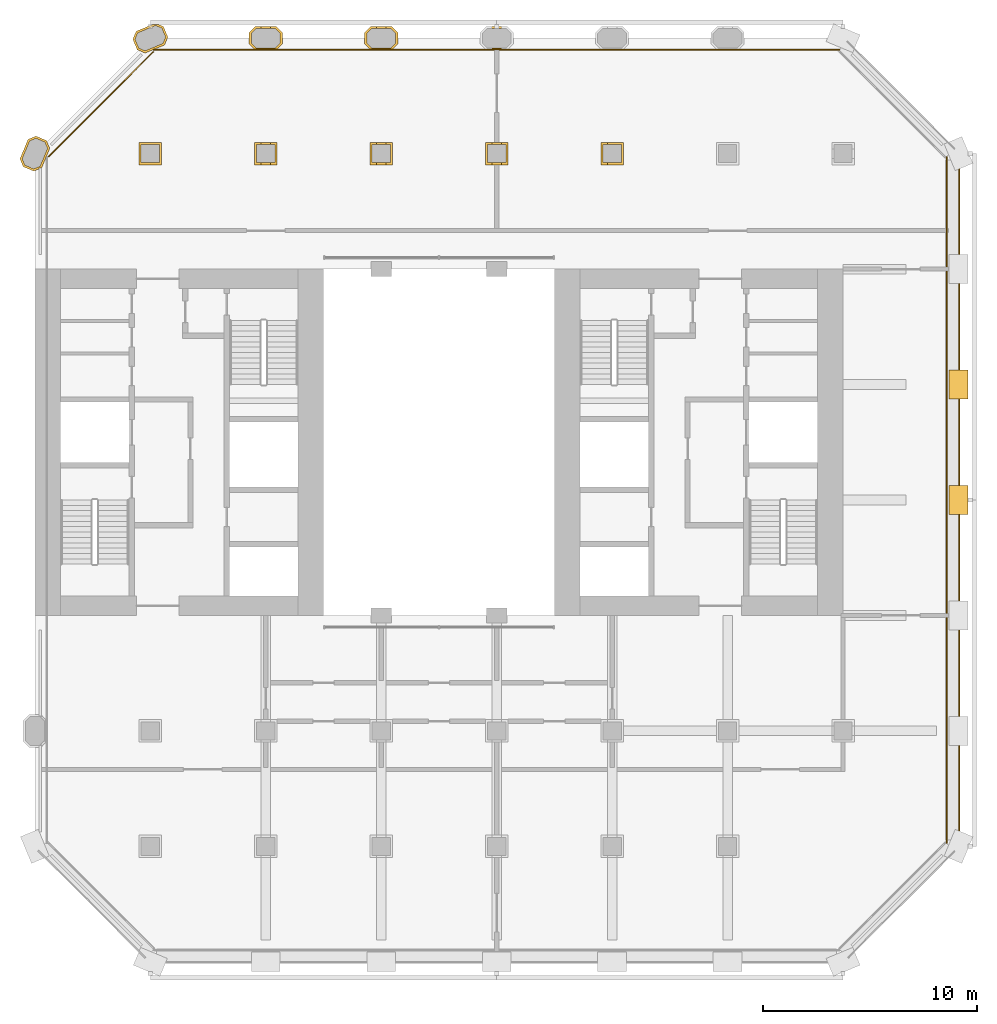
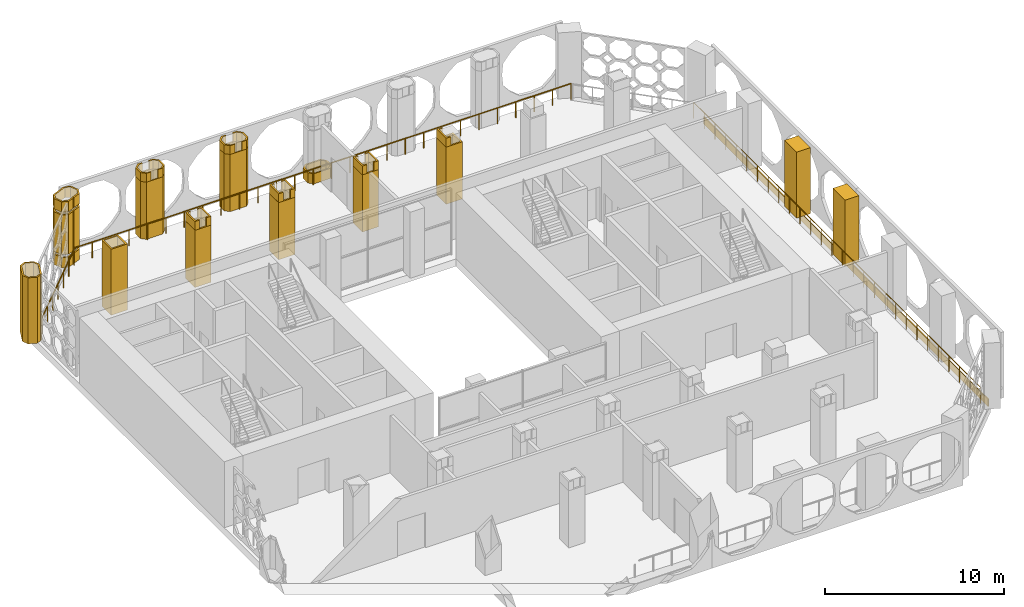
# One storey, part 13 of 14: 26 coverings, 3 railings.
"""IFC4 building model written with IfcOpenShell, lengths in metres."""

from ifc_helpers import new_model, si_unit, direction, frame, frame_2d, origin, origin_2d, place, context, subcontext, project, spatial, polyline, rectangle, circle, outline, extrude, material, layer, layer_set, type_object, element, save


model = new_model("IFC4")

# Units and contexts
model_context = context("Model", 3, precision=1e-05, world=origin(), true_north=direction((0.0, 1.0)))
body_context = subcontext(model_context, "Body", "Model", "MODEL_VIEW")
ifc_project = project(units=[si_unit("LENGTHUNIT", "METRE"), si_unit("AREAUNIT", "SQUARE_METRE"), si_unit("VOLUMEUNIT", "CUBIC_METRE"), si_unit("PLANEANGLEUNIT", "RADIAN"), si_unit("MASSUNIT", "GRAM", prefix="KILO")], contexts=[model_context])

# Site, building, storey
site_placement = place(None, origin())
site = spatial("IfcSite", under=ifc_project, at=site_placement, CompositionType="ELEMENT")
building_placement = place(site_placement, origin())
building = spatial("IfcBuilding", under=site, at=building_placement, Name="Tabaq Tower and Sports Hall", CompositionType="ELEMENT")
storey_placement = place(building_placement, frame((0.0, 0.0, 175.89990234375)))
storey = spatial("IfcBuildingStorey", under=building, at=storey_placement, Name="L42", CompositionType="ELEMENT", Elevation=175.89990234375)

# Coverings
ifc_material_1 = material(Name="Precast concrete C60/75", Category="concrete")
ifc_layer_1 = layer(ifc_material_1, 0.10009765625)
ifc_layer_set_1 = layer_set([ifc_layer_1], Name="Column cladding 100")
covering_type_1 = type_object("IfcCoveringType", Name="Column cladding 100", PredefinedType="CLADDING", material=ifc_layer_set_1)
covering_1_placement = place(storey_placement, origin())
element("IfcCovering", 1, at=covering_1_placement, inside=storey, type_object=covering_type_1, Name="Column cladding L42 PC-2H-H1", PredefinedType="CLADDING", context=body_context, shape_type="SweptSolid", body=[
    extrude(outline(polyline([(4.857421875, 37.186279296875), (4.7041015625, 37.556396484375), (5.080078125, 38.46435546875), (5.450439453125, 38.61767578125), (5.9423828125, 38.413818359375), (6.095947265625, 38.04345703125), (5.94287109375, 37.673828125), (5.942138671875, 37.673828125), (5.938232421875, 37.6728515625), (5.9345703125, 37.671630859375), (5.930908203125, 37.669921875), (5.927490234375, 37.667724609375), (5.92431640625, 37.66552734375), (5.92138671875, 37.662841796875), (5.9189453125, 37.659912109375), (5.91650390625, 37.65673828125), (5.91455078125, 37.6533203125), (5.912841796875, 37.649658203125), (5.911376953125, 37.64599609375), (5.910400390625, 37.64208984375), (5.909912109375, 37.63818359375), (5.90966796875, 37.63427734375), (5.90966796875, 37.593994140625), (5.7197265625, 37.1357421875), (5.694580078125, 37.125244140625), (5.589599609375, 37.125244140625), (5.589599609375, 37.081787109375), (5.349609375, 36.982421875), (4.857421875, 37.186279296875)]), holes=[polyline([(5.866455078125, 38.337646484375), (5.450439453125, 38.510009765625), (5.15625, 38.38818359375), (4.811767578125, 37.556396484375), (4.93359375, 37.26220703125), (5.349609375, 37.08984375), (5.643798828125, 37.2119140625), (5.98828125, 38.04345703125), (5.866455078125, 38.337646484375)])]), origin(), (0.0, 0.0, 1.0), 4.5),
])
covering_2_placement = place(storey_placement, origin())
element("IfcCovering", 2, at=covering_2_placement, inside=storey, type_object=covering_type_1, Name="Column cladding L42 CC-3H-H1", PredefinedType="CLADDING", context=body_context, shape_type="SweptSolid", body=[
    extrude(outline(polyline([(10.275390625, 38.32470703125), (11.32470703125, 38.32470703125), (11.32470703125, 37.275390625), (10.275390625, 37.275390625), (10.275390625, 38.32470703125)]), holes=[polyline([(11.225341796875, 37.374755859375), (11.225341796875, 38.225341796875), (10.374755859375, 38.225341796875), (10.374755859375, 37.374755859375), (11.225341796875, 37.374755859375)])]), origin(), (0.0, 0.0, 1.0), 4.5),
])
covering_3_placement = place(storey_placement, origin())
element("IfcCovering", 3, at=covering_3_placement, inside=storey, type_object=covering_type_1, Name="Column cladding L42 PC-3I-H1", PredefinedType="CLADDING", context=body_context, shape_type="SweptSolid", body=[
    extrude(outline(polyline([(9.982421875, 43.149658203125), (10.1357421875, 43.519775390625), (10.93212890625, 43.849609375), (11.155029296875, 43.849609375), (11.413818359375, 43.742431640625), (11.61767578125, 43.25048828125), (11.46435546875, 42.880126953125), (11.005859375, 42.690185546875), (10.965576171875, 42.690185546875), (10.961669921875, 42.690185546875), (10.957763671875, 42.689453125), (10.9541015625, 42.6884765625), (10.9501953125, 42.687255859375), (10.94677734375, 42.685546875), (10.943359375, 42.68359375), (10.940185546875, 42.68115234375), (10.937255859375, 42.678466796875), (10.9345703125, 42.675537109375), (10.93212890625, 42.67236328125), (10.93017578125, 42.6689453125), (10.928466796875, 42.66552734375), (10.927001953125, 42.66162109375), (10.92626953125, 42.657958984375), (10.926025390625, 42.6572265625), (10.556396484375, 42.504150390625), (10.186279296875, 42.657470703125), (9.982421875, 43.149658203125)]), holes=[polyline([(11.510009765625, 43.25048828125), (11.337646484375, 43.66650390625), (11.04345703125, 43.788330078125), (10.2119140625, 43.44384765625), (10.08984375, 43.149658203125), (10.26220703125, 42.733642578125), (10.556396484375, 42.61181640625), (11.38818359375, 42.956298828125), (11.510009765625, 43.25048828125)])]), origin(), (0.0, 0.0, 1.0), 0.7001953125),
])
covering_4_placement = place(storey_placement, frame((0.0, 0.0, 0.900146484375)))
element("IfcCovering", 4, at=covering_4_placement, inside=storey, type_object=covering_type_1, Name="Column cladding L42 PC-3I-H1 2", PredefinedType="CLADDING", context=body_context, shape_type="SweptSolid", body=[
    extrude(outline(polyline([(9.982421875, 43.149658203125), (10.1357421875, 43.519775390625), (10.93212890625, 43.849609375), (11.155029296875, 43.849609375), (11.413818359375, 43.742431640625), (11.61767578125, 43.25048828125), (11.46435546875, 42.880126953125), (11.005859375, 42.690185546875), (10.965576171875, 42.690185546875), (10.961669921875, 42.690185546875), (10.957763671875, 42.689453125), (10.9541015625, 42.6884765625), (10.9501953125, 42.687255859375), (10.94677734375, 42.685546875), (10.943359375, 42.68359375), (10.940185546875, 42.68115234375), (10.937255859375, 42.678466796875), (10.9345703125, 42.675537109375), (10.93212890625, 42.67236328125), (10.93017578125, 42.6689453125), (10.928466796875, 42.66552734375), (10.927001953125, 42.66162109375), (10.92626953125, 42.657958984375), (10.926025390625, 42.6572265625), (10.556396484375, 42.504150390625), (10.186279296875, 42.657470703125), (9.982421875, 43.149658203125)]), holes=[polyline([(11.510009765625, 43.25048828125), (11.337646484375, 43.66650390625), (11.04345703125, 43.788330078125), (10.2119140625, 43.44384765625), (10.08984375, 43.149658203125), (10.26220703125, 42.733642578125), (10.556396484375, 42.61181640625), (11.38818359375, 42.956298828125), (11.510009765625, 43.25048828125)])]), origin(), (0.0, 0.0, 1.0), 2.699951171875),
])
covering_5_placement = place(storey_placement, frame((0.0, 0.0, 3.800048828125)))
element("IfcCovering", 5, at=covering_5_placement, inside=storey, type_object=covering_type_1, Name="Column cladding L42 PC-3I-H1 3", PredefinedType="CLADDING", context=body_context, shape_type="SweptSolid", body=[
    extrude(outline(polyline([(9.982421875, 43.149658203125), (10.1357421875, 43.519775390625), (10.93212890625, 43.849609375), (11.155029296875, 43.849609375), (11.413818359375, 43.742431640625), (11.61767578125, 43.25048828125), (11.46435546875, 42.880126953125), (11.005859375, 42.690185546875), (10.965576171875, 42.690185546875), (10.961669921875, 42.690185546875), (10.957763671875, 42.689453125), (10.9541015625, 42.6884765625), (10.9501953125, 42.687255859375), (10.94677734375, 42.685546875), (10.943359375, 42.68359375), (10.940185546875, 42.68115234375), (10.937255859375, 42.678466796875), (10.9345703125, 42.675537109375), (10.93212890625, 42.67236328125), (10.93017578125, 42.6689453125), (10.928466796875, 42.66552734375), (10.927001953125, 42.66162109375), (10.92626953125, 42.657958984375), (10.926025390625, 42.6572265625), (10.556396484375, 42.504150390625), (10.186279296875, 42.657470703125), (9.982421875, 43.149658203125)]), holes=[polyline([(11.510009765625, 43.25048828125), (11.337646484375, 43.66650390625), (11.04345703125, 43.788330078125), (10.2119140625, 43.44384765625), (10.08984375, 43.149658203125), (10.26220703125, 42.733642578125), (10.556396484375, 42.61181640625), (11.38818359375, 42.956298828125), (11.510009765625, 43.25048828125)])]), origin(), (0.0, 0.0, 1.0), 0.699951171875),
])
covering_6_placement = place(storey_placement, origin())
element("IfcCovering", 6, at=covering_6_placement, inside=storey, type_object=covering_type_1, Name="Column cladding L42 CC-4H-H1", PredefinedType="CLADDING", context=body_context, shape_type="SweptSolid", body=[
    extrude(outline(polyline([(15.67529296875, 38.32470703125), (16.724609375, 38.32470703125), (16.724609375, 37.275390625), (15.67529296875, 37.275390625), (15.67529296875, 38.32470703125)]), holes=[polyline([(16.625244140625, 37.374755859375), (16.625244140625, 38.225341796875), (15.774658203125, 38.225341796875), (15.774658203125, 37.374755859375), (16.625244140625, 37.374755859375)])]), origin(), (0.0, 0.0, 1.0), 3.900146484375),
])
covering_7_placement = place(storey_placement, frame((0.0, 0.0, 3.900146484375)))
element("IfcCovering", 7, at=covering_7_placement, inside=storey, type_object=covering_type_1, Name="Column cladding L42 CC-4H-H1 head", PredefinedType="CLADDING", context=body_context, shape_type="SweptSolid", body=[
    extrude(outline(polyline([(16.425537109375, 38.2255859375), (16.425537109375, 38.324462890625), (16.724365234375, 38.324462890625), (16.724365234375, 37.275634765625), (16.425537109375, 37.275634765625), (16.425537109375, 37.37451171875), (16.62548828125, 37.37451171875), (16.62548828125, 38.2255859375), (16.425537109375, 38.2255859375)])), origin(), (0.0, 0.0, 1.0), 0.599853515625),
])
covering_8_placement = place(storey_placement, frame((0.0, 0.0, 3.900146484375)))
element("IfcCovering", 8, at=covering_8_placement, inside=storey, type_object=covering_type_1, Name="Column cladding L42 CC-4H-H1 head 2", PredefinedType="CLADDING", context=body_context, shape_type="SweptSolid", body=[
    extrude(outline(polyline([(15.974365234375, 38.2255859375), (15.7744140625, 38.2255859375), (15.7744140625, 37.37451171875), (15.974365234375, 37.37451171875), (15.974365234375, 37.275634765625), (15.675537109375, 37.275634765625), (15.675537109375, 38.324462890625), (15.974365234375, 38.324462890625), (15.974365234375, 38.2255859375)])), origin(), (0.0, 0.0, 1.0), 0.599853515625),
])
covering_9_placement = place(storey_placement, origin())
element("IfcCovering", 9, at=covering_9_placement, inside=storey, type_object=covering_type_1, Name="Column cladding L42 PC-4I-H1", PredefinedType="CLADDING", context=body_context, shape_type="SweptSolid", body=[
    extrude(outline(polyline([(15.42529296875, 43.46630859375), (15.708740234375, 43.749755859375), (16.69140625, 43.749755859375), (16.974609375, 43.46630859375), (16.974609375, 42.93359375), (16.731201171875, 42.690185546875), (15.668701171875, 42.690185546875), (15.42529296875, 42.93359375), (15.42529296875, 43.46630859375)]), holes=[polyline([(16.875244140625, 42.974853515625), (16.875244140625, 43.425048828125), (16.650146484375, 43.650390625), (15.749755859375, 43.650390625), (15.524658203125, 43.425048828125), (15.524658203125, 42.974853515625), (15.749755859375, 42.749755859375), (16.650146484375, 42.749755859375), (16.875244140625, 42.974853515625)])]), origin(), (0.0, 0.0, 1.0), 3.900146484375),
])
covering_10_placement = place(storey_placement, frame((0.0, 0.0, 3.900146484375)))
element("IfcCovering", 10, at=covering_10_placement, inside=storey, type_object=covering_type_1, Name="Column cladding L42 PC-4I-H1 head", PredefinedType="CLADDING", context=body_context, shape_type="SweptSolid", body=[
    extrude(outline(polyline([(16.69140625, 43.749755859375), (16.974609375, 43.46630859375), (16.974609375, 42.93359375), (16.731201171875, 42.690185546875), (16.42529296875, 42.690185546875), (16.42529296875, 42.749755859375), (16.650146484375, 42.749755859375), (16.875244140625, 42.974853515625), (16.875244140625, 43.425048828125), (16.650146484375, 43.650390625), (16.42529296875, 43.650390625), (16.42529296875, 43.749755859375), (16.69140625, 43.749755859375)])), origin(), (0.0, 0.0, 1.0), 0.599853515625),
])
covering_11_placement = place(storey_placement, frame((0.0, 0.0, 3.900146484375)))
element("IfcCovering", 11, at=covering_11_placement, inside=storey, type_object=covering_type_1, Name="Column cladding L42 PC-4I-H1 head 2", PredefinedType="CLADDING", context=body_context, shape_type="SweptSolid", body=[
    extrude(outline(polyline([(15.708740234375, 43.749755859375), (15.974609375, 43.749755859375), (15.974609375, 43.650390625), (15.749755859375, 43.650390625), (15.524658203125, 43.425048828125), (15.524658203125, 42.974853515625), (15.749755859375, 42.749755859375), (15.974609375, 42.749755859375), (15.974609375, 42.690185546875), (15.668701171875, 42.690185546875), (15.42529296875, 42.93359375), (15.42529296875, 43.46630859375), (15.708740234375, 43.749755859375)])), origin(), (0.0, 0.0, 1.0), 0.599853515625),
])
covering_12_placement = place(storey_placement, origin())
element("IfcCovering", 12, at=covering_12_placement, inside=storey, type_object=covering_type_1, Name="Column cladding L42 CC-5H-H1", PredefinedType="CLADDING", context=body_context, shape_type="SweptSolid", body=[
    extrude(outline(polyline([(21.0751953125, 38.32470703125), (22.124755859375, 38.32470703125), (22.124755859375, 37.275390625), (21.0751953125, 37.275390625), (21.0751953125, 38.32470703125)]), holes=[polyline([(22.025390625, 37.374755859375), (22.025390625, 38.225341796875), (21.1748046875, 38.225341796875), (21.1748046875, 37.374755859375), (22.025390625, 37.374755859375)])]), origin(), (0.0, 0.0, 1.0), 3.900146484375),
])
covering_13_placement = place(storey_placement, frame((0.0, 0.0, 3.900146484375)))
element("IfcCovering", 13, at=covering_13_placement, inside=storey, type_object=covering_type_1, Name="Column cladding L42 CC-5H-H1 head", PredefinedType="CLADDING", context=body_context, shape_type="SweptSolid", body=[
    extrude(outline(polyline([(21.82568359375, 38.2255859375), (21.82568359375, 38.324462890625), (22.12451171875, 38.324462890625), (22.12451171875, 37.275634765625), (21.82568359375, 37.275634765625), (21.82568359375, 37.37451171875), (22.025634765625, 37.37451171875), (22.025634765625, 38.2255859375), (21.82568359375, 38.2255859375)])), origin(), (0.0, 0.0, 1.0), 0.599853515625),
])
covering_14_placement = place(storey_placement, frame((0.0, 0.0, 3.900146484375)))
element("IfcCovering", 14, at=covering_14_placement, inside=storey, type_object=covering_type_1, Name="Column cladding L42 CC-5H-H1 head 2", PredefinedType="CLADDING", context=body_context, shape_type="SweptSolid", body=[
    extrude(outline(polyline([(21.37451171875, 38.2255859375), (21.17431640625, 38.2255859375), (21.17431640625, 37.37451171875), (21.37451171875, 37.37451171875), (21.37451171875, 37.275634765625), (21.07568359375, 37.275634765625), (21.07568359375, 38.324462890625), (21.37451171875, 38.324462890625), (21.37451171875, 38.2255859375)])), origin(), (0.0, 0.0, 1.0), 0.599853515625),
])
covering_15_placement = place(storey_placement, origin())
element("IfcCovering", 15, at=covering_15_placement, inside=storey, type_object=covering_type_1, Name="Column cladding L42 PC-5I-H1", PredefinedType="CLADDING", context=body_context, shape_type="SweptSolid", body=[
    extrude(outline(polyline([(20.8251953125, 43.46630859375), (21.108642578125, 43.749755859375), (22.09130859375, 43.749755859375), (22.374755859375, 43.46630859375), (22.374755859375, 42.93359375), (22.13134765625, 42.690185546875), (21.068603515625, 42.690185546875), (20.8251953125, 42.93359375), (20.8251953125, 43.46630859375)]), holes=[polyline([(22.275390625, 42.974853515625), (22.275390625, 43.425048828125), (22.050048828125, 43.650390625), (21.14990234375, 43.650390625), (20.9248046875, 43.425048828125), (20.9248046875, 42.974853515625), (21.14990234375, 42.749755859375), (22.050048828125, 42.749755859375), (22.275390625, 42.974853515625)])]), origin(), (0.0, 0.0, 1.0), 3.900146484375),
])
covering_16_placement = place(storey_placement, frame((0.0, 0.0, 3.900146484375)))
element("IfcCovering", 16, at=covering_16_placement, inside=storey, type_object=covering_type_1, Name="Column cladding L42 PC-5I-H1 head", PredefinedType="CLADDING", context=body_context, shape_type="SweptSolid", body=[
    extrude(outline(polyline([(21.108642578125, 43.749755859375), (21.374755859375, 43.749755859375), (21.374755859375, 43.650390625), (21.14990234375, 43.650390625), (20.9248046875, 43.425048828125), (20.9248046875, 42.974853515625), (21.14990234375, 42.749755859375), (21.374755859375, 42.749755859375), (21.374755859375, 42.690185546875), (21.068603515625, 42.690185546875), (20.8251953125, 42.93359375), (20.8251953125, 43.46630859375), (21.108642578125, 43.749755859375)])), origin(), (0.0, 0.0, 1.0), 0.599853515625),
])
covering_17_placement = place(storey_placement, frame((0.0, 0.0, 3.900146484375)))
element("IfcCovering", 17, at=covering_17_placement, inside=storey, type_object=covering_type_1, Name="Column cladding L42 PC-5I-H1 head 2", PredefinedType="CLADDING", context=body_context, shape_type="SweptSolid", body=[
    extrude(outline(polyline([(22.09130859375, 43.749755859375), (22.374755859375, 43.46630859375), (22.374755859375, 42.93359375), (22.13134765625, 42.690185546875), (21.8251953125, 42.690185546875), (21.8251953125, 42.749755859375), (22.050048828125, 42.749755859375), (22.275390625, 42.974853515625), (22.275390625, 43.425048828125), (22.050048828125, 43.650390625), (21.8251953125, 43.650390625), (21.8251953125, 43.749755859375), (22.09130859375, 43.749755859375)])), origin(), (0.0, 0.0, 1.0), 0.599853515625),
])
covering_18_placement = place(storey_placement, origin())
element("IfcCovering", 18, at=covering_18_placement, inside=storey, type_object=covering_type_1, Name="Column cladding L42 CC-6H-H1", PredefinedType="CLADDING", context=body_context, shape_type="SweptSolid", body=[
    extrude(outline(polyline([(26.475341796875, 38.32470703125), (27.524658203125, 38.32470703125), (27.524658203125, 37.275390625), (26.475341796875, 37.275390625), (26.475341796875, 38.32470703125)]), holes=[polyline([(27.42529296875, 37.374755859375), (27.42529296875, 38.225341796875), (26.57470703125, 38.225341796875), (26.57470703125, 37.374755859375), (27.42529296875, 37.374755859375)])]), origin(), (0.0, 0.0, 1.0), 3.900146484375),
])
covering_19_placement = place(storey_placement, frame((0.0, 0.0, 3.900146484375)))
element("IfcCovering", 19, at=covering_19_placement, inside=storey, type_object=covering_type_1, Name="Column cladding L42 CC-6H-H1 head", PredefinedType="CLADDING", context=body_context, shape_type="SweptSolid", body=[
    extrude(outline(polyline([(27.2255859375, 38.2255859375), (27.2255859375, 38.324462890625), (27.5244140625, 38.324462890625), (27.5244140625, 37.275634765625), (27.2255859375, 37.275634765625), (27.2255859375, 37.37451171875), (27.425537109375, 37.37451171875), (27.425537109375, 38.2255859375), (27.2255859375, 38.2255859375)])), origin(), (0.0, 0.0, 1.0), 0.599853515625),
])
covering_20_placement = place(storey_placement, frame((0.0, 0.0, 3.900146484375)))
element("IfcCovering", 20, at=covering_20_placement, inside=storey, type_object=covering_type_1, Name="Column cladding L42 CC-6H-H1 head 2", PredefinedType="CLADDING", context=body_context, shape_type="SweptSolid", body=[
    extrude(outline(polyline([(26.7744140625, 38.2255859375), (26.574462890625, 38.2255859375), (26.574462890625, 37.37451171875), (26.7744140625, 37.37451171875), (26.7744140625, 37.275634765625), (26.4755859375, 37.275634765625), (26.4755859375, 38.324462890625), (26.7744140625, 38.324462890625), (26.7744140625, 38.2255859375)])), origin(), (0.0, 0.0, 1.0), 0.599853515625),
])
covering_21_placement = place(storey_placement, origin())
element("IfcCovering", 21, at=covering_21_placement, inside=storey, type_object=covering_type_1, Name="Column cladding L42 PC-6I-H1", PredefinedType="CLADDING", context=body_context, shape_type="SweptSolid", body=[
    extrude(outline(polyline([(26.225341796875, 43.46630859375), (26.5087890625, 43.749755859375), (27.4912109375, 43.749755859375), (27.774658203125, 43.46630859375), (27.774658203125, 42.93359375), (27.53125, 42.690185546875), (26.46875, 42.690185546875), (26.225341796875, 42.93359375), (26.225341796875, 43.46630859375)]), holes=[polyline([(27.67529296875, 42.974853515625), (27.67529296875, 43.425048828125), (27.4501953125, 43.650390625), (26.5498046875, 43.650390625), (26.32470703125, 43.425048828125), (26.32470703125, 42.974853515625), (26.5498046875, 42.749755859375), (27.4501953125, 42.749755859375), (27.67529296875, 42.974853515625)])]), origin(), (0.0, 0.0, 1.0), 0.7001953125),
])
covering_22_placement = place(storey_placement, origin())
element("IfcCovering", 22, at=covering_22_placement, inside=storey, type_object=covering_type_1, Name="Column cladding L42 CC-7H-H1", PredefinedType="CLADDING", context=body_context, shape_type="SweptSolid", body=[
    extrude(outline(polyline([(31.875244140625, 38.32470703125), (32.9248046875, 38.32470703125), (32.9248046875, 37.275390625), (31.875244140625, 37.275390625), (31.875244140625, 38.32470703125)]), holes=[polyline([(32.8251953125, 37.374755859375), (32.8251953125, 38.225341796875), (31.974609375, 38.225341796875), (31.974609375, 37.374755859375), (32.8251953125, 37.374755859375)])]), origin(), (0.0, 0.0, 1.0), 3.900146484375),
])
covering_23_placement = place(storey_placement, frame((0.0, 0.0, 3.900146484375)))
element("IfcCovering", 23, at=covering_23_placement, inside=storey, type_object=covering_type_1, Name="Column cladding L42 CC-7H-H1 head", PredefinedType="CLADDING", context=body_context, shape_type="SweptSolid", body=[
    extrude(outline(polyline([(32.17431640625, 38.2255859375), (31.974365234375, 38.2255859375), (31.974365234375, 37.37451171875), (32.17431640625, 37.37451171875), (32.17431640625, 37.275634765625), (31.87548828125, 37.275634765625), (31.87548828125, 38.324462890625), (32.17431640625, 38.324462890625), (32.17431640625, 38.2255859375)])), origin(), (0.0, 0.0, 1.0), 0.599853515625),
])
ifc_material_2 = material(Name="Precast concrete C60/75", Category="concrete")
ifc_layer_2 = layer(ifc_material_2, 0.06005859375)
ifc_layer_set_2 = layer_set([ifc_layer_2], Name="Edge beam cladding 60")
covering_type_2 = type_object("IfcCoveringType", Name="Edge beam cladding 60", PredefinedType="CLADDING", material=ifc_layer_set_2)
covering_24_placement = place(storey_placement, frame((48.6298828125, 5.698486328125, -0.5), z_axis=(0.0, 0.0, 1.0), x_axis=(0.0, 1.0, 0.0)))
element("IfcCovering", 24, at=covering_24_placement, inside=storey, type_object=covering_type_2, Name="Edge beam cladding L42 3", PredefinedType="CLADDING", context=body_context, shape_type="SweptSolid", body=[
    extrude(rectangle(XDim=31.802978515625, YDim=0.06005859375, at=frame_2d((15.9013671875, 0.0))), origin(), (0.0, 0.0, 1.0), 0.5),
])

# Railings
ifc_material_3 = material(Name="Stainless steel S316 and laminated glass", Category="steel")
railing_type = type_object("IfcRailingType", Name="Guard 1100 steel and glass", PredefinedType="GUARDRAIL", material=ifc_material_3)
railing_1_placement = place(storey_placement, frame((48.050048828125, 5.565673828125, 0.0)))
element("IfcRailing", 25, at=railing_1_placement, inside=storey, type_object=railing_type, Name="Guard L42 E", PredefinedType="GUARDRAIL", context=body_context, shape_type="SweptSolid", body=[
    extrude(circle(Radius=0.02490234375, at=origin_2d()), frame((0.0, 0.0, 1.0751953125), z_axis=(0.0, 1.0, 0.0), x_axis=(-1.0, 0.0, 0.0)), (0.0, 0.0, 1.0), 32.068603515625),
    extrude(circle(Radius=0.02001953125, at=origin_2d()), origin(), (0.0, 0.0, 1.0), 1.050048828125),
    extrude(circle(Radius=0.02001953125, at=origin_2d()), frame((0.0, 1.187744140625, 0.0)), (0.0, 0.0, 1.0), 1.050048828125),
    extrude(circle(Radius=0.02001953125, at=origin_2d()), frame((0.0, 2.37548828125, 0.0)), (0.0, 0.0, 1.0), 1.050048828125),
    extrude(circle(Radius=0.02001953125, at=origin_2d()), frame((0.0, 3.563232421875, 0.0)), (0.0, 0.0, 1.0), 1.050048828125),
    extrude(circle(Radius=0.02001953125, at=origin_2d()), frame((0.0, 4.7509765625, 0.0)), (0.0, 0.0, 1.0), 1.050048828125),
    extrude(circle(Radius=0.02001953125, at=origin_2d()), frame((0.0, 5.938720703125, 0.0)), (0.0, 0.0, 1.0), 1.050048828125),
    extrude(circle(Radius=0.02001953125, at=origin_2d()), frame((0.0, 7.12646484375, 0.0)), (0.0, 0.0, 1.0), 1.050048828125),
    extrude(circle(Radius=0.02001953125, at=origin_2d()), frame((0.0, 8.31396484375, 0.0)), (0.0, 0.0, 1.0), 1.050048828125),
    extrude(circle(Radius=0.02001953125, at=origin_2d()), frame((0.0, 9.501708984375, 0.0)), (0.0, 0.0, 1.0), 1.050048828125),
    extrude(circle(Radius=0.02001953125, at=origin_2d()), frame((0.0, 10.689453125, 0.0)), (0.0, 0.0, 1.0), 1.050048828125),
    extrude(circle(Radius=0.02001953125, at=origin_2d()), frame((0.0, 11.877197265625, 0.0)), (0.0, 0.0, 1.0), 1.050048828125),
    extrude(circle(Radius=0.02001953125, at=origin_2d()), frame((0.0, 13.06494140625, 0.0)), (0.0, 0.0, 1.0), 1.050048828125),
    extrude(circle(Radius=0.02001953125, at=origin_2d()), frame((0.0, 14.252685546875, 0.0)), (0.0, 0.0, 1.0), 1.050048828125),
    extrude(circle(Radius=0.02001953125, at=origin_2d()), frame((0.0, 15.4404296875, 0.0)), (0.0, 0.0, 1.0), 1.050048828125),
    extrude(circle(Radius=0.02001953125, at=origin_2d()), frame((0.0, 16.628173828125, 0.0)), (0.0, 0.0, 1.0), 1.050048828125),
    extrude(circle(Radius=0.02001953125, at=origin_2d()), frame((0.0, 17.81591796875, 0.0)), (0.0, 0.0, 1.0), 1.050048828125),
    extrude(circle(Radius=0.02001953125, at=origin_2d()), frame((0.0, 19.003662109375, 0.0)), (0.0, 0.0, 1.0), 1.050048828125),
    extrude(circle(Radius=0.02001953125, at=origin_2d()), frame((0.0, 20.19140625, 0.0)), (0.0, 0.0, 1.0), 1.050048828125),
    extrude(circle(Radius=0.02001953125, at=origin_2d()), frame((0.0, 21.379150390625, 0.0)), (0.0, 0.0, 1.0), 1.050048828125),
    extrude(circle(Radius=0.02001953125, at=origin_2d()), frame((0.0, 22.56689453125, 0.0)), (0.0, 0.0, 1.0), 1.050048828125),
    extrude(circle(Radius=0.02001953125, at=origin_2d()), frame((0.0, 23.754638671875, 0.0)), (0.0, 0.0, 1.0), 1.050048828125),
    extrude(circle(Radius=0.02001953125, at=origin_2d()), frame((0.0, 24.942138671875, 0.0)), (0.0, 0.0, 1.0), 1.050048828125),
    extrude(circle(Radius=0.02001953125, at=origin_2d()), frame((0.0, 26.1298828125, 0.0)), (0.0, 0.0, 1.0), 1.050048828125),
    extrude(circle(Radius=0.02001953125, at=origin_2d()), frame((0.0, 27.317626953125, 0.0)), (0.0, 0.0, 1.0), 1.050048828125),
    extrude(circle(Radius=0.02001953125, at=origin_2d()), frame((0.0, 28.50537109375, 0.0)), (0.0, 0.0, 1.0), 1.050048828125),
    extrude(circle(Radius=0.02001953125, at=origin_2d()), frame((0.0, 29.693115234375, 0.0)), (0.0, 0.0, 1.0), 1.050048828125),
    extrude(circle(Radius=0.02001953125, at=origin_2d()), frame((0.0, 30.880859375, 0.0)), (0.0, 0.0, 1.0), 1.050048828125),
    extrude(circle(Radius=0.02001953125, at=origin_2d()), frame((0.0, 32.068603515625, 0.0)), (0.0, 0.0, 1.0), 1.050048828125),
])
railing_2_placement = place(storey_placement, frame((43.034423828125, 42.64990234375, 0.0)))
element("IfcRailing", 26, at=railing_2_placement, inside=storey, type_object=railing_type, Name="Guard L42 N", PredefinedType="GUARDRAIL", context=body_context, shape_type="SweptSolid", body=[
    extrude(circle(Radius=0.02490234375, at=origin_2d()), frame((0.0, 0.0, 1.0751953125), z_axis=(-1.0, 0.0, 0.0), x_axis=(0.0, -1.0, 0.0)), (0.0, 0.0, 1.0), 32.06884765625),
    extrude(circle(Radius=0.02001953125, at=origin_2d()), origin(), (0.0, 0.0, 1.0), 1.050048828125),
    extrude(circle(Radius=0.02001953125, at=origin_2d()), frame((-1.187744140625, 0.0, 0.0)), (0.0, 0.0, 1.0), 1.050048828125),
    extrude(circle(Radius=0.02001953125, at=origin_2d()), frame((-2.37548828125, 0.0, 0.0)), (0.0, 0.0, 1.0), 1.050048828125),
    extrude(circle(Radius=0.02001953125, at=origin_2d()), frame((-3.563232421875, 0.0, 0.0)), (0.0, 0.0, 1.0), 1.050048828125),
    extrude(circle(Radius=0.02001953125, at=origin_2d()), frame((-4.7509765625, 0.0, 0.0)), (0.0, 0.0, 1.0), 1.050048828125),
    extrude(circle(Radius=0.02001953125, at=origin_2d()), frame((-5.938720703125, 0.0, 0.0)), (0.0, 0.0, 1.0), 1.050048828125),
    extrude(circle(Radius=0.02001953125, at=origin_2d()), frame((-7.12646484375, 0.0, 0.0)), (0.0, 0.0, 1.0), 1.050048828125),
    extrude(circle(Radius=0.02001953125, at=origin_2d()), frame((-8.314208984375, 0.0, 0.0)), (0.0, 0.0, 1.0), 1.050048828125),
    extrude(circle(Radius=0.02001953125, at=origin_2d()), frame((-9.501953125, 0.0, 0.0)), (0.0, 0.0, 1.0), 1.050048828125),
    extrude(circle(Radius=0.02001953125, at=origin_2d()), frame((-10.689697265625, 0.0, 0.0)), (0.0, 0.0, 1.0), 1.050048828125),
    extrude(circle(Radius=0.02001953125, at=origin_2d()), frame((-11.87744140625, 0.0, 0.0)), (0.0, 0.0, 1.0), 1.050048828125),
    extrude(circle(Radius=0.02001953125, at=origin_2d()), frame((-13.065185546875, 0.0, 0.0)), (0.0, 0.0, 1.0), 1.050048828125),
    extrude(circle(Radius=0.02001953125, at=origin_2d()), frame((-14.2529296875, 0.0, 0.0)), (0.0, 0.0, 1.0), 1.050048828125),
    extrude(circle(Radius=0.02001953125, at=origin_2d()), frame((-15.440673828125, 0.0, 0.0)), (0.0, 0.0, 1.0), 1.050048828125),
    extrude(circle(Radius=0.02001953125, at=origin_2d()), frame((-16.628173828125, 0.0, 0.0)), (0.0, 0.0, 1.0), 1.050048828125),
    extrude(circle(Radius=0.02001953125, at=origin_2d()), frame((-17.81591796875, 0.0, 0.0)), (0.0, 0.0, 1.0), 1.050048828125),
    extrude(circle(Radius=0.02001953125, at=origin_2d()), frame((-19.003662109375, 0.0, 0.0)), (0.0, 0.0, 1.0), 1.050048828125),
    extrude(circle(Radius=0.02001953125, at=origin_2d()), frame((-20.19140625, 0.0, 0.0)), (0.0, 0.0, 1.0), 1.050048828125),
    extrude(circle(Radius=0.02001953125, at=origin_2d()), frame((-21.379150390625, 0.0, 0.0)), (0.0, 0.0, 1.0), 1.050048828125),
    extrude(circle(Radius=0.02001953125, at=origin_2d()), frame((-22.56689453125, 0.0, 0.0)), (0.0, 0.0, 1.0), 1.050048828125),
    extrude(circle(Radius=0.02001953125, at=origin_2d()), frame((-23.754638671875, 0.0, 0.0)), (0.0, 0.0, 1.0), 1.050048828125),
    extrude(circle(Radius=0.02001953125, at=origin_2d()), frame((-24.9423828125, 0.0, 0.0)), (0.0, 0.0, 1.0), 1.050048828125),
    extrude(circle(Radius=0.02001953125, at=origin_2d()), frame((-26.130126953125, 0.0, 0.0)), (0.0, 0.0, 1.0), 1.050048828125),
    extrude(circle(Radius=0.02001953125, at=origin_2d()), frame((-27.31787109375, 0.0, 0.0)), (0.0, 0.0, 1.0), 1.050048828125),
    extrude(circle(Radius=0.02001953125, at=origin_2d()), frame((-28.505615234375, 0.0, 0.0)), (0.0, 0.0, 1.0), 1.050048828125),
    extrude(circle(Radius=0.02001953125, at=origin_2d()), frame((-29.693359375, 0.0, 0.0)), (0.0, 0.0, 1.0), 1.050048828125),
    extrude(circle(Radius=0.02001953125, at=origin_2d()), frame((-30.881103515625, 0.0, 0.0)), (0.0, 0.0, 1.0), 1.050048828125),
    extrude(circle(Radius=0.02001953125, at=origin_2d()), frame((-32.06884765625, 0.0, 0.0)), (0.0, 0.0, 1.0), 1.050048828125),
])
railing_3_placement = place(storey_placement, frame((10.9287109375, 42.551025390625, 0.0)))
element("IfcRailing", 27, at=railing_3_placement, inside=storey, type_object=railing_type, Name="Guard L42 NW", PredefinedType="GUARDRAIL", context=body_context, shape_type="SweptSolid", body=[
    extrude(circle(Radius=0.02490234375, at=origin_2d()), frame((0.0, 0.0, 1.0751953125), z_axis=(-0.70708909224, -0.70712446969, 0.0), x_axis=(0.70712446969, -0.70708909224, 0.0)), (0.0, 0.0, 1.0), 6.901123046875),
    extrude(circle(Radius=0.02001953125, at=origin_2d()), origin(), (0.0, 0.0, 1.0), 1.050048828125),
    extrude(circle(Radius=0.02001953125, at=origin_2d()), frame((-0.813232421875, -0.813232421875, 0.0)), (0.0, 0.0, 1.0), 1.050048828125),
    extrude(circle(Radius=0.02001953125, at=origin_2d()), frame((-1.62646484375, -1.626708984375, 0.0)), (0.0, 0.0, 1.0), 1.050048828125),
    extrude(circle(Radius=0.02001953125, at=origin_2d()), frame((-2.43994140625, -2.43994140625, 0.0)), (0.0, 0.0, 1.0), 1.050048828125),
    extrude(circle(Radius=0.02001953125, at=origin_2d()), frame((-3.253173828125, -3.253173828125, 0.0)), (0.0, 0.0, 1.0), 1.050048828125),
    extrude(circle(Radius=0.02001953125, at=origin_2d()), frame((-4.06640625, -4.066650390625, 0.0)), (0.0, 0.0, 1.0), 1.050048828125),
    extrude(circle(Radius=0.02001953125, at=origin_2d()), frame((-4.879638671875, -4.8798828125, 0.0)), (0.0, 0.0, 1.0), 1.050048828125),
])

# Coverings
ifc_material_4 = material(Name="White precast concrete C60/75", Category="concrete")
covering_type_3 = type_object("IfcCoveringType", Name="Pier cladding hung 1350x900", PredefinedType="CLADDING", material=ifc_material_4)
covering_25_placement = place(storey_placement, frame((48.60009765625, 20.925048828125, 0.0), z_axis=(0.0, 0.0, 1.0), x_axis=(0.0, 1.0, 0.0)))
element("IfcCovering", 28, at=covering_25_placement, inside=storey, type_object=covering_type_3, Name="Hung pier cladding 9/4", PredefinedType="CLADDING", context=body_context, shape_type="SweptSolid", body=[
    extrude(rectangle(XDim=1.349853515625, YDim=0.89990234375, at=frame_2d((0.6748046875, 0.0))), origin(), (0.0, 0.0, 1.0), 4.5),
])
covering_26_placement = place(storey_placement, frame((48.60009765625, 26.324951171875, 0.0), z_axis=(0.0, 0.0, 1.0), x_axis=(0.0, 1.0, 0.0)))
element("IfcCovering", 29, at=covering_26_placement, inside=storey, type_object=covering_type_3, Name="Hung pier cladding 9/5", PredefinedType="CLADDING", context=body_context, shape_type="SweptSolid", body=[
    extrude(rectangle(XDim=1.35009765625, YDim=0.89990234375, at=frame_2d((0.675048828125, 0.0))), origin(), (0.0, 0.0, 1.0), 4.5),
])

save(model, "model.ifc")
